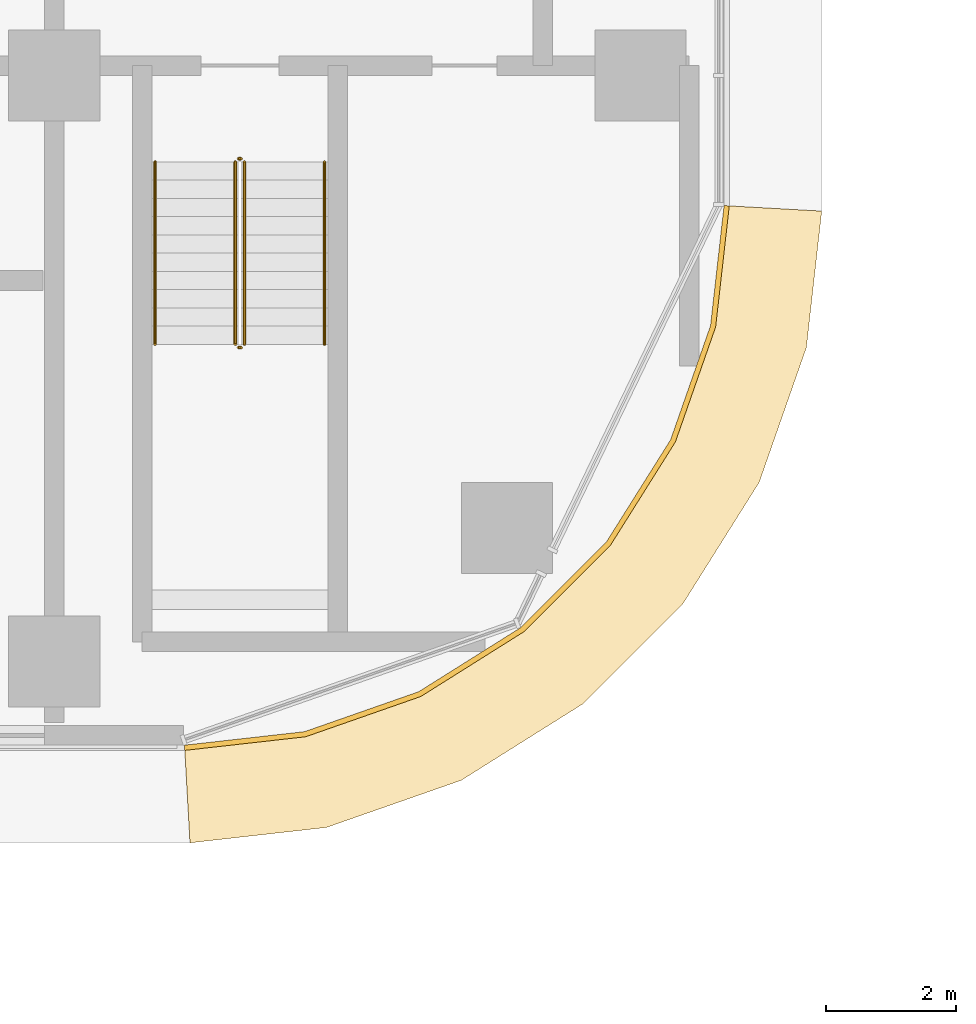
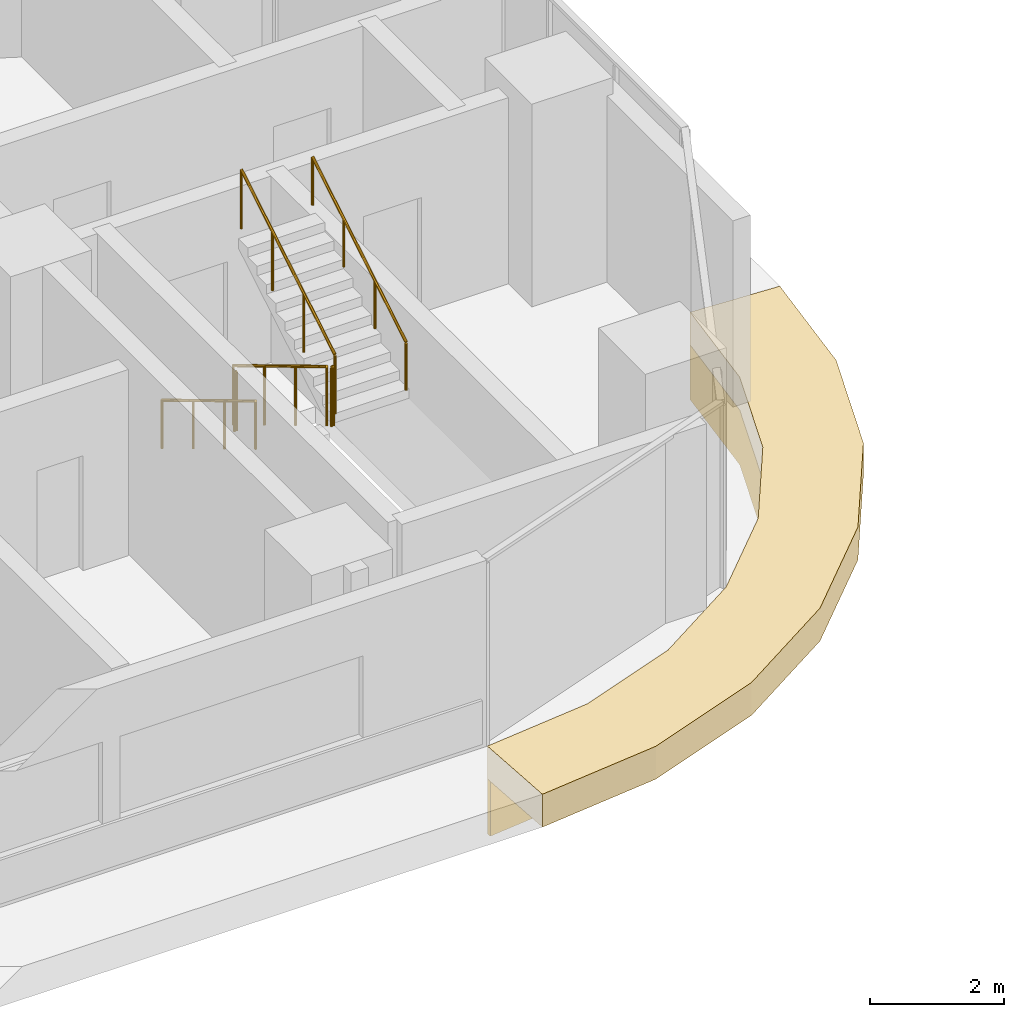
# One storey, part 34 of 39: 6 railings, 2 coverings.
"""IFC4 building model written with IfcOpenShell, lengths in metres."""

from ifc_helpers import new_model, si_unit, direction, frame, origin, origin_2d, place, context, subcontext, project, spatial, polyline, circle, outline, extrude, material, layer, layer_set, type_object, element, save


model = new_model("IFC4")

# Units and contexts
model_context = context("Model", 3, precision=1e-05, world=origin(), true_north=direction((0.0, 1.0)))
body_context = subcontext(model_context, "Body", "Model", "MODEL_VIEW")
ifc_project = project(units=[si_unit("LENGTHUNIT", "METRE"), si_unit("AREAUNIT", "SQUARE_METRE"), si_unit("VOLUMEUNIT", "CUBIC_METRE"), si_unit("PLANEANGLEUNIT", "RADIAN"), si_unit("MASSUNIT", "GRAM", prefix="KILO")], contexts=[model_context])

# Site, building, storey
site_placement = place(None, origin())
site = spatial("IfcSite", under=ifc_project, at=site_placement, CompositionType="ELEMENT")
building_placement = place(site_placement, origin())
building = spatial("IfcBuilding", under=site, at=building_placement, Name="Ogive Portal Towers", CompositionType="ELEMENT")
storey_placement = place(building_placement, frame((0.0, 0.0, 44.60009765625)))
storey = spatial("IfcBuildingStorey", under=building, at=storey_placement, Name="L09", CompositionType="ELEMENT", Elevation=44.60009765625)

# Railings
ifc_material_1 = material(Name="Stainless steel balustrade", Category="steel")
railing_type_1 = type_object("IfcRailingType", Name="INT-GUARD", PredefinedType="GUARDRAIL", material=ifc_material_1)
railing_1_placement = place(storey_placement, frame((88.280029296875, 29.169921875, 0.16796875)))
element("IfcRailing", 1, at=railing_1_placement, inside=storey, type_object=railing_type_1, Name="L09 ST-A4 stair guard 1", PredefinedType="GUARDRAIL", context=body_context, shape_type="SweptSolid", body=[
    extrude(circle(Radius=0.02392578125, at=origin_2d()), frame((0.0, 0.0, 1.076171875), z_axis=(0.0, -0.857222391501, 0.514946377315), x_axis=(1.0, 0.0, 0.0)), (0.0, 0.0, 1.0), 3.26611328125),
    extrude(circle(Radius=0.02099609375, at=origin_2d()), origin(), (0.0, 0.0, 1.0), 1.052001953125),
    extrude(circle(Radius=0.02099609375, at=origin_2d()), frame((0.0, -0.933349609375, 0.560546875)), (0.0, 0.0, 1.0), 1.052001953125),
    extrude(circle(Radius=0.02099609375, at=origin_2d()), frame((0.0, -1.866455078125, 1.121337890625)), (0.0, 0.0, 1.0), 1.052001953125),
    extrude(circle(Radius=0.02099609375, at=origin_2d()), frame((0.0, -2.7998046875, 1.681884765625)), (0.0, 0.0, 1.0), 1.052001953125),
])
railing_2_placement = place(storey_placement, frame((88.330078125, 26.320068359375, 1.849853515625)))
element("IfcRailing", 2, at=railing_2_placement, inside=storey, type_object=railing_type_1, Name="L09 ST-A4 stair guard 2", PredefinedType="GUARDRAIL", context=body_context, shape_type="SweptSolid", body=[
    extrude(circle(Radius=0.02392578125, at=origin_2d()), frame((0.0, 0.0, 1.076171875), z_axis=(1.0, 0.0, 0.0), x_axis=(0.0, 1.0, 0.0)), (0.0, 0.0, 1.0), 0.0400390625),
    extrude(circle(Radius=0.02099609375, at=origin_2d()), origin(), (0.0, 0.0, 1.0), 1.052001953125),
    extrude(circle(Radius=0.02099609375, at=origin_2d()), frame((0.0400390625, 0.0, 0.0)), (0.0, 0.0, 1.0), 1.052001953125),
])
railing_3_placement = place(storey_placement, frame((88.419921875, 26.3701171875, 2.01806640625)))
element("IfcRailing", 3, at=railing_3_placement, inside=storey, type_object=railing_type_1, Name="L09 ST-A4 stair guard 3", PredefinedType="GUARDRAIL", context=body_context, shape_type="SweptSolid", body=[
    extrude(circle(Radius=0.02392578125, at=origin_2d()), frame((0.0, 0.0, 1.076171875), z_axis=(0.0, 0.857222391501, 0.514946377315), x_axis=(-1.0, 0.0, 0.0)), (0.0, 0.0, 1.0), 3.26611328125),
    extrude(circle(Radius=0.02099609375, at=origin_2d()), origin(), (0.0, 0.0, 1.0), 1.052001953125),
    extrude(circle(Radius=0.02099609375, at=origin_2d()), frame((0.0, 0.933349609375, 0.560546875)), (0.0, 0.0, 1.0), 1.052001953125),
    extrude(circle(Radius=0.02099609375, at=origin_2d()), frame((0.0, 1.866455078125, 1.121337890625)), (0.0, 0.0, 1.0), 1.052001953125),
    extrude(circle(Radius=0.02099609375, at=origin_2d()), frame((0.0, 2.7998046875, 1.681884765625)), (0.0, 0.0, 1.0), 1.052001953125),
])
railing_4_placement = place(storey_placement, frame((88.330078125, 29.219970703125, 0.0)))
element("IfcRailing", 4, at=railing_4_placement, inside=storey, type_object=railing_type_1, Name="L09 ST-A4 stair guard 4", PredefinedType="GUARDRAIL", context=body_context, shape_type="SweptSolid", body=[
    extrude(circle(Radius=0.02392578125, at=origin_2d()), frame((0.0, 0.0, 1.076171875), z_axis=(1.0, 0.0, 0.0), x_axis=(0.0, 1.0, 0.0)), (0.0, 0.0, 1.0), 0.0400390625),
    extrude(circle(Radius=0.02099609375, at=origin_2d()), origin(), (0.0, 0.0, 1.0), 1.052001953125),
    extrude(circle(Radius=0.02099609375, at=origin_2d()), frame((0.0400390625, 0.0, 0.0)), (0.0, 0.0, 1.0), 1.052001953125),
])
ifc_material_2 = material(Name="Stainless steel handrail", Category="steel")
railing_type_2 = type_object("IfcRailingType", Name="INT-HANDRAIL", PredefinedType="HANDRAIL", material=ifc_material_2)
railing_5_placement = place(storey_placement, frame((87.050048828125, 29.169921875, 0.16796875)))
element("IfcRailing", 5, at=railing_5_placement, inside=storey, type_object=railing_type_2, Name="L09 ST-A4 stair handrail 1", PredefinedType="HANDRAIL", context=body_context, shape_type="SweptSolid", body=[
    extrude(circle(Radius=0.02392578125, at=origin_2d()), frame((0.0, 0.0, 0.8759765625), z_axis=(0.0, -0.857222391501, 0.514946377315), x_axis=(1.0, 0.0, 0.0)), (0.0, 0.0, 1.0), 3.26611328125),
    extrude(circle(Radius=0.02099609375, at=origin_2d()), origin(), (0.0, 0.0, 1.0), 0.851806640625),
    extrude(circle(Radius=0.02099609375, at=origin_2d()), frame((0.0, -0.933349609375, 0.560546875)), (0.0, 0.0, 1.0), 0.851806640625),
    extrude(circle(Radius=0.02099609375, at=origin_2d()), frame((0.0, -1.866455078125, 1.121337890625)), (0.0, 0.0, 1.0), 0.851806640625),
    extrude(circle(Radius=0.02099609375, at=origin_2d()), frame((0.0, -2.7998046875, 1.681884765625)), (0.0, 0.0, 1.0), 0.851806640625),
])
railing_6_placement = place(storey_placement, frame((89.64990234375, 26.3701171875, 2.01806640625)))
element("IfcRailing", 6, at=railing_6_placement, inside=storey, type_object=railing_type_2, Name="L09 ST-A4 stair handrail 2", PredefinedType="HANDRAIL", context=body_context, shape_type="SweptSolid", body=[
    extrude(circle(Radius=0.02392578125, at=origin_2d()), frame((0.0, 0.0, 0.8759765625), z_axis=(0.0, 0.857222391501, 0.514946377315), x_axis=(-1.0, 0.0, 0.0)), (0.0, 0.0, 1.0), 3.26611328125),
    extrude(circle(Radius=0.02099609375, at=origin_2d()), origin(), (0.0, 0.0, 1.0), 0.851806640625),
    extrude(circle(Radius=0.02099609375, at=origin_2d()), frame((0.0, 0.933349609375, 0.560546875)), (0.0, 0.0, 1.0), 0.851806640625),
    extrude(circle(Radius=0.02099609375, at=origin_2d()), frame((0.0, 1.866455078125, 1.121337890625)), (0.0, 0.0, 1.0), 0.851806640625),
    extrude(circle(Radius=0.02099609375, at=origin_2d()), frame((0.0, 2.7998046875, 1.681884765625)), (0.0, 0.0, 1.0), 0.851806640625),
])

# Coverings
ifc_material_3 = material(Name="Limestone cladding on lightweight block wall", Category="masonry")
ifc_layer_1 = layer(ifc_material_3, 0.080078125)
ifc_layer_set_1 = layer_set([ifc_layer_1], Name="STONE SPANDREL 80")
covering_type_1 = type_object("IfcCoveringType", Name="STONE SPANDREL 80", PredefinedType="CLADDING", material=ifc_layer_set_1)
covering_1_placement = place(storey_placement, frame((0.0, 0.0, -1.60009765625)))
element("IfcCovering", 7, at=covering_1_placement, inside=storey, type_object=covering_type_1, Name="Stone spandrel A1-F06", PredefinedType="CLADDING", context=body_context, shape_type="SweptSolid", body=[
    extrude(outline(polyline([(87.5, 20.215087890625), (89.343505859375, 20.422607421875), (91.0947265625, 21.035400390625), (92.66552734375, 22.0224609375), (93.9775390625, 23.33447265625), (94.964599609375, 24.9052734375), (95.577392578125, 26.656494140625), (95.784912109375, 28.5), (95.864990234375, 28.49560546875), (95.65576171875, 26.638427734375), (95.037109375, 24.870361328125), (94.04052734375, 23.2841796875), (92.7158203125, 21.95947265625), (91.129638671875, 20.962890625), (89.361572265625, 20.34423828125), (87.50439453125, 20.135009765625), (87.5, 20.215087890625)])), origin(), (0.0, 0.0, 1.0), 1.0),
])
ifc_layer_2 = layer(ifc_material_3, 0.60009765625)
ifc_layer_set_2 = layer_set([ifc_layer_2], Name="SUNSHADE LIP 600")
covering_type_2 = type_object("IfcCoveringType", Name="SUNSHADE LIP 600", PredefinedType="CLADDING", material=ifc_layer_set_2)
covering_2_placement = place(storey_placement, frame((0.0, 0.0, -0.60009765625)))
element("IfcCovering", 8, at=covering_2_placement, inside=storey, type_object=covering_type_2, Name="Sunshade lip A1-F06", PredefinedType="CLADDING", context=body_context, shape_type="SweptSolid", body=[
    extrude(outline(polyline([(87.5, 20.215087890625), (89.343505859375, 20.422607421875), (91.0947265625, 21.035400390625), (92.66552734375, 22.0224609375), (93.9775390625, 23.33447265625), (94.964599609375, 24.9052734375), (95.577392578125, 26.656494140625), (95.784912109375, 28.5), (97.284912109375, 28.415771484375), (97.048828125, 26.320556640625), (96.324462890625, 24.250244140625), (95.15771484375, 22.393310546875), (93.606689453125, 20.84228515625), (91.749755859375, 19.675537109375), (89.679443359375, 18.951171875), (87.584228515625, 18.715087890625), (87.5, 20.215087890625)])), origin(), (0.0, 0.0, 1.0), 0.60009765625),
])

save(model, "model.ifc")
